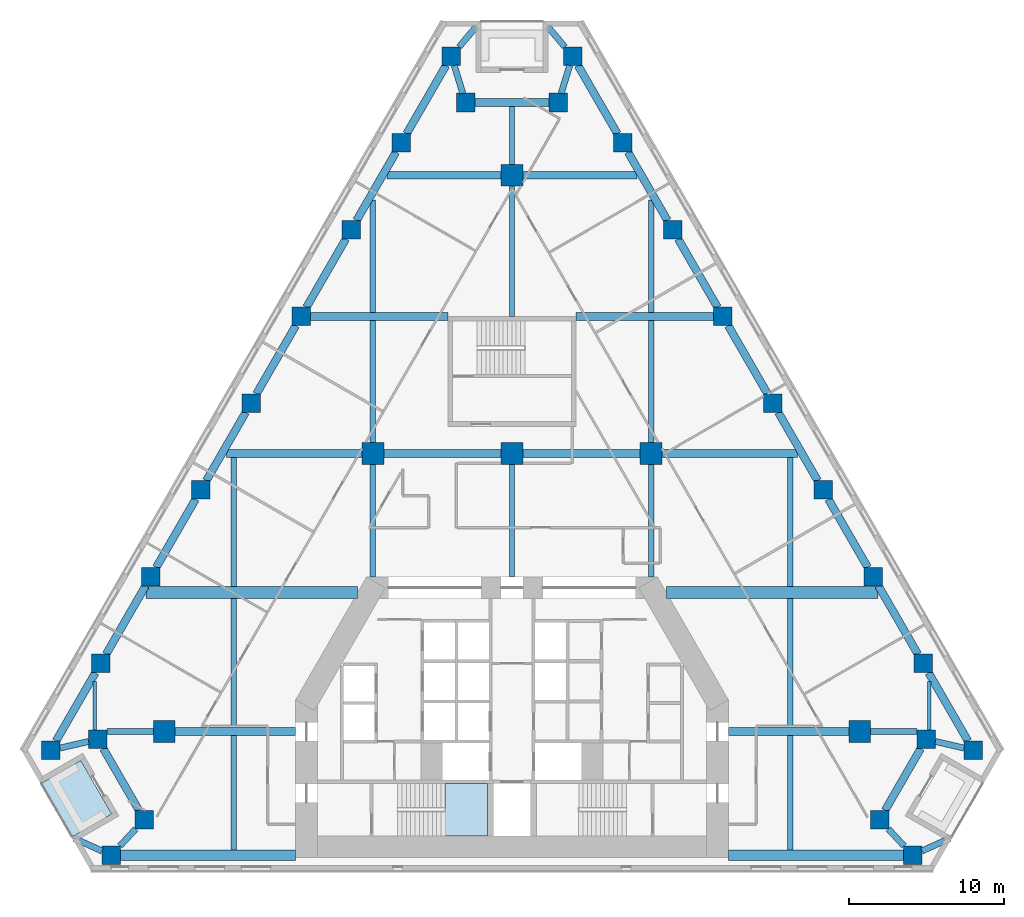
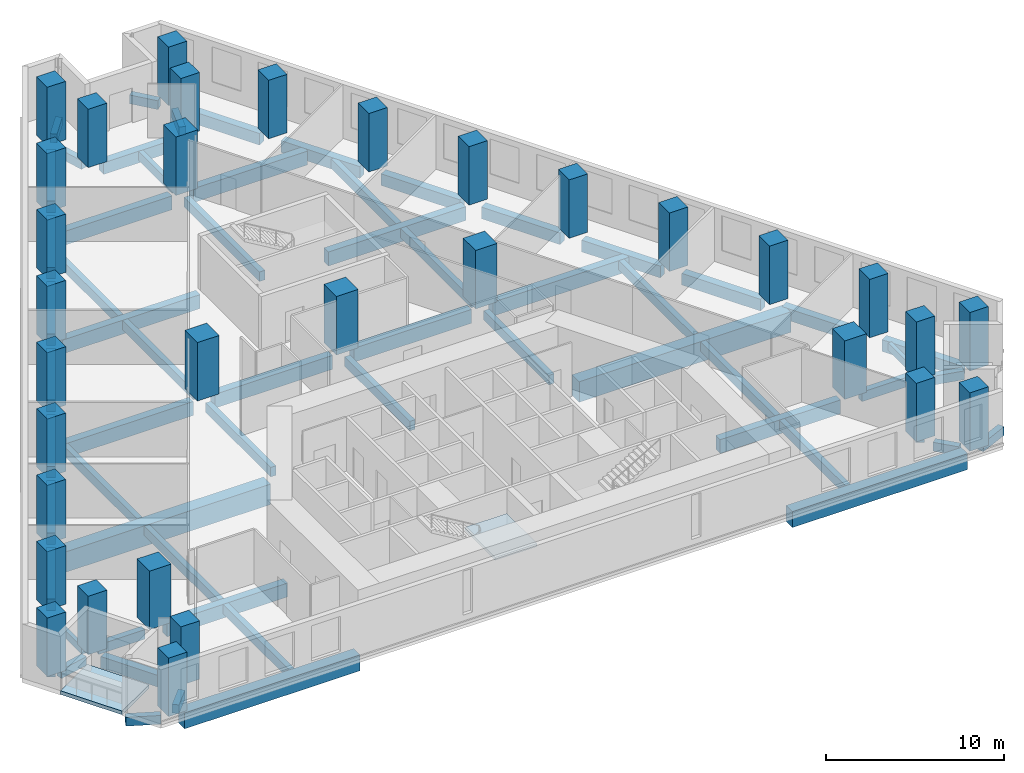
# One storey, part 1 of 11: 62 beams, 32 columns, 2 slabs, 1 element without a shape of its own.
"""IFC4 building model written with IfcOpenShell, lengths in metres."""

from ifc_helpers import new_model, si_unit, direction, frame, origin, origin_2d, place, context, subcontext, project, spatial, polyline, rectangle, outline, extrude, material, layer, layer_set, material_profile, profile_set, type_object, element, aggregate, save


model = new_model("IFC4")

# Units and contexts
model_context = context("Model", 3, precision=1e-05, world=origin(), true_north=direction((0.0, 1.0)))
body_context = subcontext(model_context, "Body", "Model", "MODEL_VIEW")
ifc_project = project(units=[si_unit("LENGTHUNIT", "METRE"), si_unit("AREAUNIT", "SQUARE_METRE"), si_unit("VOLUMEUNIT", "CUBIC_METRE"), si_unit("PLANEANGLEUNIT", "RADIAN"), si_unit("MASSUNIT", "GRAM", prefix="KILO")], contexts=[model_context])

# Site, building, storey
site_placement = place(None, origin())
site = spatial("IfcSite", under=ifc_project, at=site_placement, CompositionType="ELEMENT")
building_placement = place(site_placement, origin())
building = spatial("IfcBuilding", under=site, at=building_placement, Name="Fogline Exchange Tower", CompositionType="ELEMENT")
storey_placement = place(building_placement, frame((0.0, 0.0, 56.89990234375)))
storey = spatial("IfcBuildingStorey", under=building, at=storey_placement, Name="L11", CompositionType="ELEMENT", Elevation=56.89990234375)

# Columns
ifc_material_1 = material(Name="Concrete C80", Category="concrete")
ifc_material_profile_1 = material_profile(ifc_material_1, rectangle(XDim=1.199951171875, YDim=1.199951171875, at=origin_2d()), Name="RC 1200x1200")
ifc_profile_set_1 = profile_set([ifc_material_profile_1], Name="Concrete C80")
column_type_1 = type_object("IfcColumnType", Name="C01", PredefinedType="COLUMN", material=ifc_profile_set_1)
for number, where, z_axis, x_axis, name in (
    (1, (-29.855712890625, 7.794189453125, 0.0), (0.0, 0.0, 1.0), (1.0, 0.0, 0.0), "SW-a"),
    (2, (-26.79638671875, 8.4951171875, 0.0), (0.0, 0.0, 1.0), (1.0, 0.0, 0.0), "SW-p4"),
    (3, (-23.79638671875, 3.299072265625, 0.0), (0.0, 0.0, 1.0), (1.0, 0.0, 0.0), "SW-p3"),
    (4, (-25.93310546875, 1.0, 0.0), (0.0, 0.0, 1.0), (1.0, 0.0, 0.0), "SW-b"),
    (5, (25.93310546875, 1.0, 0.0), (0.0, 0.0, 1.0), (1.0, 0.0, 0.0), "SE-a"),
    (6, (23.79638671875, 3.299072265625, 0.0), (0.0, 0.0, 1.0), (1.0, 0.0, 0.0), "SE-p4"),
    (7, (26.79638671875, 8.4951171875, 0.0), (0.0, 0.0, 1.0), (1.0, 0.0, 0.0), "SE-p3"),
    (8, (29.855712890625, 7.794189453125, 0.0), (0.0, 0.0, 1.0), (1.0, 0.0, 0.0), "SE-b"),
    (9, (26.614013671875, 13.408935546875, 0.0), (0.0, 0.0, 1.0), (1.0, 0.0, 0.0), "E1"),
    (10, (23.37255859375, 19.023681640625, 0.0), (0.0, 0.0, 1.0), (1.0, 0.0, 0.0), "E2"),
    (11, (20.130859375, 24.63818359375, 0.0), (0.0, 0.0, 1.0), (1.0, 0.0, 0.0), "E3"),
    (12, (16.88916015625, 30.2529296875, 0.0), (0.0, 0.0, 1.0), (1.0, 0.0, 0.0), "E4"),
    (13, (13.647705078125, 35.86767578125, 0.0), (0.0, 0.0, 1.0), (1.0, 0.0, 0.0), "E5"),
    (14, (10.406005859375, 41.482421875, 0.0), (0.0, 0.0, 1.0), (1.0, 0.0, 0.0), "E6"),
    (15, (7.164306640625, 47.096923828125, 0.0), (0.0, 0.0, 1.0), (1.0, 0.0, 0.0), "E7"),
    (16, (3.922607421875, 52.711669921875, 0.0), (0.0, 0.0, 1.0), (1.0, 0.0, 0.0), "N-a"),
    (17, (3.0, 49.711669921875, 0.0), (0.0, 0.0, 1.0), (1.0, 0.0, 0.0), "N-p4"),
    (18, (-3.0, 49.711669921875, 0.0), (0.0, 0.0, 1.0), (1.0, 0.0, 0.0), "N-p3"),
    (19, (-3.922607421875, 52.711669921875, 0.0), (0.0, 0.0, 1.0), (1.0, 0.0, 0.0), "N-b"),
    (20, (-7.164306640625, 47.096923828125, 0.0), (0.0, 0.0, 1.0), (1.0, 0.0, 0.0), "W1"),
    (21, (-10.406005859375, 41.482421875, 0.0), (0.0, 0.0, 1.0), (1.0, 0.0, 0.0), "W2"),
    (22, (-13.647705078125, 35.86767578125, 0.0), (0.0, 0.0, 1.0), (1.0, 0.0, 0.0), "W3"),
    (23, (-16.88916015625, 30.2529296875, 0.0), (0.0, 0.0, 1.0), (1.0, 0.0, 0.0), "W4"),
    (24, (-20.130859375, 24.63818359375, 0.0), (0.0, 0.0, 1.0), (1.0, 0.0, 0.0), "W5"),
    (25, (-23.37255859375, 19.023681640625, 0.0), (0.0, 0.0, 1.0), (1.0, 0.0, 0.0), "W6"),
    (26, (-26.614013671875, 13.408935546875, 0.0), (0.0, 0.0, 1.0), (1.0, 0.0, 0.0), "W7"),
):
    element("IfcColumn", number, at=place(storey_placement, frame(where, z_axis=z_axis, x_axis=x_axis)), inside=storey, type_object=column_type_1, Name=name, PredefinedType="COLUMN", context=body_context, shape_type="SweptSolid", body=[
        extrude(rectangle(XDim=1.199951171875, YDim=1.199951171875, at=origin_2d()), origin(), (0.0, 0.0, 1.0), 4.0),
    ])
ifc_material_profile_2 = material_profile(ifc_material_1, rectangle(XDim=1.39990234375, YDim=1.39990234375, at=origin_2d()), Name="RC 1400x1400")
ifc_profile_set_2 = profile_set([ifc_material_profile_2], Name="Concrete C80")
column_type_2 = type_object("IfcColumnType", Name="C02", PredefinedType="COLUMN", material=ifc_profile_set_2)
for number, where, z_axis, x_axis, name in (
    (27, (-9.0, 27.0, 0.0), (0.0, 0.0, 1.0), (1.0, 0.0, 0.0), "IC--9-27"),
    (28, (0.0, 27.0, 0.0), (0.0, 0.0, 1.0), (1.0, 0.0, 0.0), "IC-0-27"),
    (29, (9.0, 27.0, 0.0), (0.0, 0.0, 1.0), (1.0, 0.0, 0.0), "IC-9-27"),
    (30, (0.0, 45.0, 0.0), (0.0, 0.0, 1.0), (1.0, 0.0, 0.0), "IC-0-45"),
    (31, (-22.5, 9.0, 0.0), (0.0, 0.0, 1.0), (1.0, 0.0, 0.0), "IC--225-9"),
    (32, (22.5, 9.0, 0.0), (0.0, 0.0, 1.0), (1.0, 0.0, 0.0), "IC-225-9"),
):
    element("IfcColumn", number, at=place(storey_placement, frame(where, z_axis=z_axis, x_axis=x_axis)), inside=storey, type_object=column_type_2, Name=name, PredefinedType="COLUMN", context=body_context, shape_type="SweptSolid", body=[
        extrude(rectangle(XDim=1.39990234375, YDim=1.39990234375, at=origin_2d()), origin(), (0.0, 0.0, 1.0), 4.0),
    ])

# Beams
ifc_material_2 = material(Name="Concrete C40", Category="concrete")
ifc_material_profile_3 = material_profile(ifc_material_2, rectangle(XDim=0.300048828125, YDim=0.60009765625, at=origin_2d()), Name="RC 300x600")
ifc_profile_set_3 = profile_set([ifc_material_profile_3], Name="Concrete C40")
beam_type_1 = type_object("IfcBeamType", Name="B06", PredefinedType="BEAM", material=ifc_profile_set_3)
beam_1_placement = place(storey_placement, frame((0.0, 45.699951171875, -0.599853515625), z_axis=(0.0, 1.0, 0.0), x_axis=(-1.0, 0.0, 0.0)))
element("IfcBeam", 33, at=beam_1_placement, inside=storey, type_object=beam_type_1, Name="SB010", PredefinedType="BEAM", context=body_context, shape_type="SweptSolid", body=[
    extrude(rectangle(XDim=0.300048828125, YDim=0.60009765625, at=origin_2d()), origin(), (0.0, 0.0, 1.0), 3.76171875),
])
ifc_material_profile_4 = material_profile(ifc_material_2, rectangle(XDim=0.25, YDim=0.5, at=origin_2d()), Name="RC 250x500")
ifc_profile_set_4 = profile_set([ifc_material_profile_4], Name="Concrete C40")
beam_type_2 = type_object("IfcBeamType", Name="B08", PredefinedType="BEAM", material=ifc_profile_set_4)
for number, where, z_axis, x_axis, name in (
    (34, (-27.0, 9.09521484375, -0.5498046875), (0.0, 1.0, 0.0), (-1.0, 0.0, 0.0), "SB001"),
    (35, (27.0, 9.09521484375, -0.5498046875), (0.0, 1.0, 0.0), (-1.0, 0.0, 0.0), "SB017"),
):
    element("IfcBeam", number, at=place(storey_placement, frame(where, z_axis=z_axis, x_axis=x_axis)), inside=storey, type_object=beam_type_2, Name=name, PredefinedType="BEAM", context=body_context, shape_type="SweptSolid", body=[
        extrude(rectangle(XDim=0.25, YDim=0.5, at=origin_2d()), origin(), (0.0, 0.0, 1.0), 3.145263671875),
    ])
ifc_material_profile_5 = material_profile(ifc_material_2, rectangle(XDim=0.5, YDim=0.800048828125, at=origin_2d()), Name="RC 500x800")
ifc_profile_set_5 = profile_set([ifc_material_profile_5], Name="Concrete C40")
beam_type_3 = type_object("IfcBeamType", Name="B10", PredefinedType="BEAM", material=ifc_profile_set_5)
for number, where, z_axis, x_axis, name in (
    (36, (-26.449951171875, 7.895263671875, -0.699951171875), (0.500014024385, -0.866017306651, 0.0), (0.866017306651, 0.500014024385, 0.0), "RB002"),
    (37, (24.142578125, 3.89892578125, -0.699951171875), (0.500014024385, 0.866017306651, 0.0), (-0.866017306651, 0.500014024385, 0.0), "RB007"),
):
    element("IfcBeam", number, at=place(storey_placement, frame(where, z_axis=z_axis, x_axis=x_axis)), inside=storey, type_object=beam_type_3, Name=name, PredefinedType="BEAM", context=body_context, shape_type="SweptSolid", body=[
        extrude(rectangle(XDim=0.5, YDim=0.800048828125, at=origin_2d()), origin(), (0.0, 0.0, 1.0), 4.614501953125),
    ])
beam_2_placement = place(storey_placement, frame((29.50927734375, 8.394287109375, -0.699951171875), z_axis=(-0.500012659481, 0.866018094706, 0.0), x_axis=(-0.866018094706, -0.500012659481, 0.0)))
element("IfcBeam", 38, at=beam_2_placement, inside=storey, type_object=beam_type_3, Name="RB009", PredefinedType="BEAM", context=body_context, shape_type="SweptSolid", body=[
    extrude(rectangle(XDim=0.5, YDim=0.800048828125, at=origin_2d()), origin(), (0.0, 0.0, 1.0), 5.097412109375),
])
for number, where, z_axis, x_axis, name in (
    (39, (26.267578125, 14.0087890625, -0.699951171875), (-0.499956000529, 0.8660508054, 0.0), (-0.8660508054, -0.499956000529, 0.0), "RB010"),
    (40, (23.026123046875, 19.62353515625, -0.699951171875), (-0.499991921166, 0.866030068051, 0.0), (-0.866030068051, -0.499991921166, 0.0), "RB011"),
):
    element("IfcBeam", number, at=place(storey_placement, frame(where, z_axis=z_axis, x_axis=x_axis)), inside=storey, type_object=beam_type_3, Name=name, PredefinedType="BEAM", context=body_context, shape_type="SweptSolid", body=[
        extrude(rectangle(XDim=0.5, YDim=0.800048828125, at=origin_2d()), origin(), (0.0, 0.0, 1.0), 5.09765625),
    ])
beam_3_placement = place(storey_placement, frame((19.784423828125, 25.23828125, -0.699951171875), z_axis=(-0.500012659481, 0.866018094706, 0.0), x_axis=(-0.866018094706, -0.500012659481, 0.0)))
element("IfcBeam", 41, at=beam_3_placement, inside=storey, type_object=beam_type_3, Name="RB012", PredefinedType="BEAM", context=body_context, shape_type="SweptSolid", body=[
    extrude(rectangle(XDim=0.5, YDim=0.800048828125, at=origin_2d()), origin(), (0.0, 0.0, 1.0), 5.097412109375),
])
for number, where, z_axis, x_axis, name in (
    (42, (16.542724609375, 30.852783203125, -0.699951171875), (-0.499991921166, 0.866030068051, 0.0), (-0.866030068051, -0.499991921166, 0.0), "RB013"),
    (43, (13.301025390625, 36.467529296875, -0.699951171875), (-0.499991921166, 0.866030068051, 0.0), (-0.866030068051, -0.499991921166, 0.0), "RB014"),
    (44, (10.0595703125, 42.082275390625, -0.699951171875), (-0.499991921166, 0.866030068051, 0.0), (-0.866030068051, -0.499991921166, 0.0), "RB015"),
    (45, (6.81787109375, 47.697021484375, -0.699951171875), (-0.499991921166, 0.866030068051, 0.0), (-0.866030068051, -0.499991921166, 0.0), "RB016"),
):
    element("IfcBeam", number, at=place(storey_placement, frame(where, z_axis=z_axis, x_axis=x_axis)), inside=storey, type_object=beam_type_3, Name=name, PredefinedType="BEAM", context=body_context, shape_type="SweptSolid", body=[
        extrude(rectangle(XDim=0.5, YDim=0.800048828125, at=origin_2d()), origin(), (0.0, 0.0, 1.0), 5.09765625),
    ])
beam_4_placement = place(storey_placement, frame((2.39990234375, 49.711669921875, -0.699951171875), z_axis=(-1.0, 0.0, 0.0), x_axis=(0.0, -1.0, 0.0)))
element("IfcBeam", 46, at=beam_4_placement, inside=storey, type_object=beam_type_3, Name="RB018", PredefinedType="BEAM", context=body_context, shape_type="SweptSolid", body=[
    extrude(rectangle(XDim=0.5, YDim=0.800048828125, at=origin_2d()), origin(), (0.0, 0.0, 1.0), 4.7998046875),
])
for number, where, z_axis, x_axis, name in (
    (47, (-4.26904296875, 52.11181640625, -0.699951171875), (-0.499991921166, -0.866030068051, 0.0), (0.866030068051, -0.499991921166, 0.0), "RB020"),
    (48, (-7.5107421875, 46.4970703125, -0.699951171875), (-0.499991921166, -0.866030068051, 0.0), (0.866030068051, -0.499991921166, 0.0), "RB021"),
    (49, (-10.752197265625, 40.88232421875, -0.699951171875), (-0.499991921166, -0.866030068051, 0.0), (0.866030068051, -0.499991921166, 0.0), "RB022"),
    (50, (-13.993896484375, 35.267578125, -0.699951171875), (-0.499991921166, -0.866030068051, 0.0), (0.866030068051, -0.499991921166, 0.0), "RB023"),
):
    element("IfcBeam", number, at=place(storey_placement, frame(where, z_axis=z_axis, x_axis=x_axis)), inside=storey, type_object=beam_type_3, Name=name, PredefinedType="BEAM", context=body_context, shape_type="SweptSolid", body=[
        extrude(rectangle(XDim=0.5, YDim=0.800048828125, at=origin_2d()), origin(), (0.0, 0.0, 1.0), 5.09765625),
    ])
beam_5_placement = place(storey_placement, frame((-17.235595703125, 29.65283203125, -0.699951171875), z_axis=(-0.500012659481, -0.866018094706, 0.0), x_axis=(0.866018094706, -0.500012659481, 0.0)))
element("IfcBeam", 51, at=beam_5_placement, inside=storey, type_object=beam_type_3, Name="RB024", PredefinedType="BEAM", context=body_context, shape_type="SweptSolid", body=[
    extrude(rectangle(XDim=0.5, YDim=0.800048828125, at=origin_2d()), origin(), (0.0, 0.0, 1.0), 5.097412109375),
])
for number, where, z_axis, x_axis, name in (
    (52, (-20.477294921875, 24.038330078125, -0.699951171875), (-0.499991921166, -0.866030068051, 0.0), (0.866030068051, -0.499991921166, 0.0), "RB025"),
    (53, (-23.718994140625, 18.423583984375, -0.699951171875), (-0.499956000529, -0.8660508054, 0.0), (0.8660508054, -0.499956000529, 0.0), "RB026"),
):
    element("IfcBeam", number, at=place(storey_placement, frame(where, z_axis=z_axis, x_axis=x_axis)), inside=storey, type_object=beam_type_3, Name=name, PredefinedType="BEAM", context=body_context, shape_type="SweptSolid", body=[
        extrude(rectangle(XDim=0.5, YDim=0.800048828125, at=origin_2d()), origin(), (0.0, 0.0, 1.0), 5.09765625),
    ])
beam_6_placement = place(storey_placement, frame((-26.96044921875, 12.808837890625, -0.699951171875), z_axis=(-0.500012659481, -0.866018094706, 0.0), x_axis=(0.866018094706, -0.500012659481, 0.0)))
element("IfcBeam", 54, at=beam_6_placement, inside=storey, type_object=beam_type_3, Name="RB027", PredefinedType="BEAM", context=body_context, shape_type="SweptSolid", body=[
    extrude(rectangle(XDim=0.5, YDim=0.800048828125, at=origin_2d()), origin(), (0.0, 0.0, 1.0), 5.097412109375),
])
ifc_material_profile_6 = material_profile(ifc_material_2, rectangle(XDim=0.39990234375, YDim=0.60009765625, at=origin_2d()), Name="RC 400x600")
ifc_profile_set_6 = profile_set([ifc_material_profile_6], Name="Concrete C40")
beam_type_4 = type_object("IfcBeamType", Name="B11", PredefinedType="BEAM", material=ifc_profile_set_6)
beam_7_placement = place(storey_placement, frame((-29.255615234375, 7.931640625, -0.599853515625), z_axis=(0.974741606569, 0.223335622829, 0.0), x_axis=(-0.223335622829, 0.974741606569, 0.0)))
element("IfcBeam", 55, at=beam_7_placement, inside=storey, type_object=beam_type_4, Name="RB001", PredefinedType="BEAM", context=body_context, shape_type="SweptSolid", body=[
    extrude(rectangle(XDim=0.39990234375, YDim=0.60009765625, at=origin_2d()), origin(), (0.0, 0.0, 1.0), 1.907470703125),
])
for number, where, z_axis, x_axis, name in (
    (56, (-24.35400390625, 2.698974609375, -0.599853515625), (-0.680844217962, -0.732428256464, 0.0), (0.732428256464, -0.680844217962, 0.0), "RB003"),
    (57, (25.37548828125, 1.60009765625, -0.599853515625), (-0.680844217962, 0.732428256464, 0.0), (-0.732428256464, -0.680844217962, 0.0), "RB006"),
):
    element("IfcBeam", number, at=place(storey_placement, frame(where, z_axis=z_axis, x_axis=x_axis)), inside=storey, type_object=beam_type_4, Name=name, PredefinedType="BEAM", context=body_context, shape_type="SweptSolid", body=[
        extrude(rectangle(XDim=0.39990234375, YDim=0.60009765625, at=origin_2d()), origin(), (0.0, 0.0, 1.0), 1.500244140625),
    ])
beam_8_placement = place(storey_placement, frame((27.396240234375, 8.357666015625, -0.599853515625), z_axis=(0.974741606569, -0.223335622829, 0.0), x_axis=(0.223335622829, 0.974741606569, 0.0)))
element("IfcBeam", 58, at=beam_8_placement, inside=storey, type_object=beam_type_4, Name="RB008", PredefinedType="BEAM", context=body_context, shape_type="SweptSolid", body=[
    extrude(rectangle(XDim=0.39990234375, YDim=0.60009765625, at=origin_2d()), origin(), (0.0, 0.0, 1.0), 1.907470703125),
])
for number, where, z_axis, x_axis, name in (
    (59, (3.738037109375, 52.11181640625, -0.599853515625), (-0.293894535925, -0.955837853275, 0.0), (0.955837853275, -0.293894535925, 0.0), "RB017"),
    (60, (-3.1845703125, 50.311767578125, -0.599853515625), (-0.293894535925, 0.955837853275, 0.0), (-0.955837853275, -0.293894535925, 0.0), "RB019"),
):
    element("IfcBeam", number, at=place(storey_placement, frame(where, z_axis=z_axis, x_axis=x_axis)), inside=storey, type_object=beam_type_4, Name=name, PredefinedType="BEAM", context=body_context, shape_type="SweptSolid", body=[
        extrude(rectangle(XDim=0.39990234375, YDim=0.60009765625, at=origin_2d()), origin(), (0.0, 0.0, 1.0), 1.88330078125),
    ])
beam_9_placement = place(storey_placement, frame((3.418701171875, 53.311767578125, -0.599853515625), z_axis=(-0.643051132195, 0.765823244217, 0.0), x_axis=(-0.765823244217, -0.643051132195, 0.0)))
element("IfcBeam", 61, at=beam_9_placement, inside=storey, type_object=beam_type_4, Name="SP028", PredefinedType="BEAM", context=body_context, shape_type="SweptSolid", body=[
    extrude(rectangle(XDim=0.39990234375, YDim=0.60009765625, at=origin_2d()), origin(), (0.0, 0.0, 1.0), 1.706298828125),
])
beam_10_placement = place(storey_placement, frame((-3.41943359375, 53.311767578125, -0.599853515625), z_axis=(0.642644786518, 0.766164263303, 0.0), x_axis=(-0.766164263303, 0.642644786518, 0.0)))
element("IfcBeam", 62, at=beam_10_placement, inside=storey, type_object=beam_type_4, Name="SP029", PredefinedType="BEAM", context=body_context, shape_type="SweptSolid", body=[
    extrude(rectangle(XDim=0.39990234375, YDim=0.60009765625, at=origin_2d()), origin(), (0.0, 0.0, 1.0), 1.705810546875),
])
beam_11_placement = place(storey_placement, frame((26.533203125, 1.27197265625, -0.599853515625), z_axis=(0.91087792789, 0.412675902473, 0.0), x_axis=(-0.412675902473, 0.91087792789, 0.0)))
element("IfcBeam", 63, at=beam_11_placement, inside=storey, type_object=beam_type_4, Name="SP030", PredefinedType="BEAM", context=body_context, shape_type="SweptSolid", body=[
    extrude(rectangle(XDim=0.39990234375, YDim=0.60009765625, at=origin_2d()), origin(), (0.0, 0.0, 1.0), 1.975341796875),
])
beam_12_placement = place(storey_placement, frame((-26.533203125, 1.271484375, -0.599853515625), z_axis=(-0.911050486543, 0.412294810748, 0.0), x_axis=(-0.412294810748, -0.911050486543, 0.0)))
element("IfcBeam", 64, at=beam_12_placement, inside=storey, type_object=beam_type_4, Name="SP031", PredefinedType="BEAM", context=body_context, shape_type="SweptSolid", body=[
    extrude(rectangle(XDim=0.39990234375, YDim=0.60009765625, at=origin_2d()), origin(), (0.0, 0.0, 1.0), 1.9765625),
])
ifc_material_profile_7 = material_profile(ifc_material_2, rectangle(XDim=0.699951171875, YDim=1.10009765625, at=origin_2d()), Name="RC 700x1100")
ifc_profile_set_7 = profile_set([ifc_material_profile_7], Name="Concrete C40")
beam_type_5 = type_object("IfcBeamType", Name="B12", PredefinedType="BEAM", material=ifc_profile_set_7)
for number, where, z_axis, x_axis, name in (
    (65, (-25.3330078125, 1.0, -0.849853515625), (1.0, 0.0, 0.0), (0.0, 1.0, 0.0), "RB004"),
    (66, (14.0, 1.0, -0.849853515625), (1.0, 0.0, 0.0), (0.0, 1.0, 0.0), "RB005"),
):
    element("IfcBeam", number, at=place(storey_placement, frame(where, z_axis=z_axis, x_axis=x_axis)), inside=storey, type_object=beam_type_5, Name=name, PredefinedType="BEAM", context=body_context, shape_type="SweptSolid", body=[
        extrude(rectangle(XDim=0.699951171875, YDim=1.10009765625, at=origin_2d()), origin(), (0.0, 0.0, 1.0), 11.3330078125),
    ])
ifc_material_profile_8 = material_profile(ifc_material_2, rectangle(XDim=0.39990234375, YDim=0.64990234375, at=origin_2d()), Name="RC 400x650")
ifc_profile_set_8 = profile_set([ifc_material_profile_8], Name="Concrete C40")
beam_type_6 = type_object("IfcBeamType", Name="B13", PredefinedType="BEAM", material=ifc_profile_set_8)
for number, where, z_axis, x_axis, name in (
    (67, (-26.1962890625, 9.0, -0.625), (1.0, 0.0, 0.0), (0.0, 1.0, 0.0), "GB001"),
    (68, (23.199951171875, 9.0, -0.625), (1.0, 0.0, 0.0), (0.0, 1.0, 0.0), "GB004"),
):
    element("IfcBeam", number, at=place(storey_placement, frame(where, z_axis=z_axis, x_axis=x_axis)), inside=storey, type_object=beam_type_6, Name=name, PredefinedType="BEAM", context=body_context, shape_type="SweptSolid", body=[
        extrude(rectangle(XDim=0.39990234375, YDim=0.64990234375, at=origin_2d()), origin(), (0.0, 0.0, 1.0), 2.996337890625),
    ])
ifc_material_profile_9 = material_profile(ifc_material_2, rectangle(XDim=0.5, YDim=0.949951171875, at=origin_2d()), Name="RC 500x950")
ifc_profile_set_9 = profile_set([ifc_material_profile_9], Name="Concrete C40")
beam_type_7 = type_object("IfcBeamType", Name="B14", PredefinedType="BEAM", material=ifc_profile_set_9)
for number, where, z_axis, x_axis, name in (
    (69, (-21.800048828125, 9.0, -0.77490234375), (1.0, 0.0, 0.0), (0.0, 1.0, 0.0), "GB002"),
    (70, (14.0, 9.0, -0.77490234375), (1.0, 0.0, 0.0), (0.0, 1.0, 0.0), "GB003"),
):
    element("IfcBeam", number, at=place(storey_placement, frame(where, z_axis=z_axis, x_axis=x_axis)), inside=storey, type_object=beam_type_7, Name=name, PredefinedType="BEAM", context=body_context, shape_type="SweptSolid", body=[
        extrude(rectangle(XDim=0.5, YDim=0.949951171875, at=origin_2d()), origin(), (0.0, 0.0, 1.0), 7.800048828125),
    ])
beam_13_placement = place(storey_placement, frame((-18.478515625, 27.0, -0.77490234375), z_axis=(1.0, 0.0, 0.0), x_axis=(0.0, 1.0, 0.0)))
element("IfcBeam", 71, at=beam_13_placement, inside=storey, type_object=beam_type_7, Name="GB007", PredefinedType="BEAM", context=body_context, shape_type="SweptSolid", body=[
    extrude(rectangle(XDim=0.5, YDim=0.949951171875, at=origin_2d()), origin(), (0.0, 0.0, 1.0), 8.778564453125),
])
for number, where, z_axis, x_axis, name in (
    (72, (-8.300048828125, 27.0, -0.77490234375), (1.0, 0.0, 0.0), (0.0, 1.0, 0.0), "GB008"),
    (73, (0.699951171875, 27.0, -0.77490234375), (1.0, 0.0, 0.0), (0.0, 1.0, 0.0), "GB009"),
):
    element("IfcBeam", number, at=place(storey_placement, frame(where, z_axis=z_axis, x_axis=x_axis)), inside=storey, type_object=beam_type_7, Name=name, PredefinedType="BEAM", context=body_context, shape_type="SweptSolid", body=[
        extrude(rectangle(XDim=0.5, YDim=0.949951171875, at=origin_2d()), origin(), (0.0, 0.0, 1.0), 7.60009765625),
    ])
beam_14_placement = place(storey_placement, frame((9.699951171875, 27.0, -0.77490234375), z_axis=(1.0, 0.0, 0.0), x_axis=(0.0, 1.0, 0.0)))
element("IfcBeam", 74, at=beam_14_placement, inside=storey, type_object=beam_type_7, Name="GB010", PredefinedType="BEAM", context=body_context, shape_type="SweptSolid", body=[
    extrude(rectangle(XDim=0.5, YDim=0.949951171875, at=origin_2d()), origin(), (0.0, 0.0, 1.0), 8.778564453125),
])
for number, where, z_axis, x_axis, name in (
    (75, (-13.047607421875, 35.85693359375, -0.77490234375), (1.0, 0.0, 0.0), (0.0, 1.0, 0.0), "GB011"),
    (76, (4.14990234375, 35.85693359375, -0.77490234375), (1.0, 0.0, 0.0), (0.0, 1.0, 0.0), "GB012"),
):
    element("IfcBeam", number, at=place(storey_placement, frame(where, z_axis=z_axis, x_axis=x_axis)), inside=storey, type_object=beam_type_7, Name=name, PredefinedType="BEAM", context=body_context, shape_type="SweptSolid", body=[
        extrude(rectangle(XDim=0.5, YDim=0.949951171875, at=origin_2d()), origin(), (0.0, 0.0, 1.0), 8.897705078125),
    ])
for number, where, z_axis, x_axis, name in (
    (77, (-8.086181640625, 45.0, -0.77490234375), (1.0, 0.0, 0.0), (0.0, 1.0, 0.0), "GB013"),
    (78, (0.699951171875, 45.0, -0.77490234375), (1.0, 0.0, 0.0), (0.0, 1.0, 0.0), "GB014"),
):
    element("IfcBeam", number, at=place(storey_placement, frame(where, z_axis=z_axis, x_axis=x_axis)), inside=storey, type_object=beam_type_7, Name=name, PredefinedType="BEAM", context=body_context, shape_type="SweptSolid", body=[
        extrude(rectangle(XDim=0.5, YDim=0.949951171875, at=origin_2d()), origin(), (0.0, 0.0, 1.0), 7.38623046875),
    ])
ifc_material_profile_10 = material_profile(ifc_material_2, rectangle(XDim=0.800048828125, YDim=1.39990234375, at=origin_2d()), Name="RC 800x1400")
ifc_profile_set_10 = profile_set([ifc_material_profile_10], Name="Concrete C40")
beam_type_8 = type_object("IfcBeamType", Name="B15", PredefinedType="BEAM", material=ifc_profile_set_10)
for number, where, z_axis, x_axis, name in (
    (79, (-23.6748046875, 18.0, -1.0), (1.0, 0.0, 0.0), (0.0, 1.0, 0.0), "GB005"),
    (80, (9.989013671875, 18.0, -1.0), (1.0, 0.0, 0.0), (0.0, 1.0, 0.0), "GB006"),
):
    element("IfcBeam", number, at=place(storey_placement, frame(where, z_axis=z_axis, x_axis=x_axis)), inside=storey, type_object=beam_type_8, Name=name, PredefinedType="BEAM", context=body_context, shape_type="SweptSolid", body=[
        extrude(rectangle(XDim=0.800048828125, YDim=1.39990234375, at=origin_2d()), origin(), (0.0, 0.0, 1.0), 13.685791015625),
    ])
ifc_material_profile_11 = material_profile(ifc_material_2, rectangle(XDim=0.35009765625, YDim=0.64990234375, at=origin_2d()), Name="RC 350x650")
ifc_profile_set_11 = profile_set([ifc_material_profile_11], Name="Concrete C40")
beam_type_9 = type_object("IfcBeamType", Name="B16", PredefinedType="BEAM", material=ifc_profile_set_11)
beam_15_placement = place(storey_placement, frame((-18.0, 1.35009765625, -0.625), z_axis=(0.0, 1.0, 0.0), x_axis=(-1.0, 0.0, 0.0)))
element("IfcBeam", 81, at=beam_15_placement, inside=storey, type_object=beam_type_9, Name="SB002", PredefinedType="BEAM", context=body_context, shape_type="SweptSolid", body=[
    extrude(rectangle(XDim=0.35009765625, YDim=0.64990234375, at=origin_2d()), origin(), (0.0, 0.0, 1.0), 7.39990234375),
])
for number, where, z_axis, x_axis, name in (
    (82, (-18.0, 9.25, -0.625), (0.0, 1.0, 0.0), (-1.0, 0.0, 0.0), "SB003"),
    (83, (-18.0, 18.39990234375, -0.625), (0.0, 1.0, 0.0), (-1.0, 0.0, 0.0), "SB004"),
):
    element("IfcBeam", number, at=place(storey_placement, frame(where, z_axis=z_axis, x_axis=x_axis)), inside=storey, type_object=beam_type_9, Name=name, PredefinedType="BEAM", context=body_context, shape_type="SweptSolid", body=[
        extrude(rectangle(XDim=0.35009765625, YDim=0.64990234375, at=origin_2d()), origin(), (0.0, 0.0, 1.0), 8.35009765625),
    ])
beam_16_placement = place(storey_placement, frame((-9.0, 19.0, -0.625), z_axis=(0.0, 1.0, 0.0), x_axis=(-1.0, 0.0, 0.0)))
element("IfcBeam", 84, at=beam_16_placement, inside=storey, type_object=beam_type_9, Name="SB005", PredefinedType="BEAM", context=body_context, shape_type="SweptSolid", body=[
    extrude(rectangle(XDim=0.35009765625, YDim=0.64990234375, at=origin_2d()), origin(), (0.0, 0.0, 1.0), 7.300048828125),
])
beam_17_placement = place(storey_placement, frame((-9.0, 27.699951171875, -0.625), z_axis=(0.0, 1.0, 0.0), x_axis=(-1.0, 0.0, 0.0)))
element("IfcBeam", 85, at=beam_17_placement, inside=storey, type_object=beam_type_9, Name="SB006", PredefinedType="BEAM", context=body_context, shape_type="SweptSolid", body=[
    extrude(rectangle(XDim=0.35009765625, YDim=0.64990234375, at=origin_2d()), origin(), (0.0, 0.0, 1.0), 7.906982421875),
])
beam_18_placement = place(storey_placement, frame((-9.0, 36.10693359375, -0.625), z_axis=(0.0, 1.0, 0.0), x_axis=(-1.0, 0.0, 0.0)))
element("IfcBeam", 86, at=beam_18_placement, inside=storey, type_object=beam_type_9, Name="SB007", PredefinedType="BEAM", context=body_context, shape_type="SweptSolid", body=[
    extrude(rectangle(XDim=0.35009765625, YDim=0.64990234375, at=origin_2d()), origin(), (0.0, 0.0, 1.0), 7.310546875),
])
beam_19_placement = place(storey_placement, frame((0.0, 19.0, -0.625), z_axis=(0.0, 1.0, 0.0), x_axis=(-1.0, 0.0, 0.0)))
element("IfcBeam", 87, at=beam_19_placement, inside=storey, type_object=beam_type_9, Name="SB008", PredefinedType="BEAM", context=body_context, shape_type="SweptSolid", body=[
    extrude(rectangle(XDim=0.35009765625, YDim=0.64990234375, at=origin_2d()), origin(), (0.0, 0.0, 1.0), 7.300048828125),
])
beam_20_placement = place(storey_placement, frame((0.0, 35.85693359375, -0.625), z_axis=(0.0, 1.0, 0.0), x_axis=(-1.0, 0.0, 0.0)))
element("IfcBeam", 88, at=beam_20_placement, inside=storey, type_object=beam_type_9, Name="SB009", PredefinedType="BEAM", context=body_context, shape_type="SweptSolid", body=[
    extrude(rectangle(XDim=0.35009765625, YDim=0.64990234375, at=origin_2d()), origin(), (0.0, 0.0, 1.0), 8.443115234375),
])
beam_21_placement = place(storey_placement, frame((9.0, 19.0, -0.625), z_axis=(0.0, 1.0, 0.0), x_axis=(-1.0, 0.0, 0.0)))
element("IfcBeam", 89, at=beam_21_placement, inside=storey, type_object=beam_type_9, Name="SB011", PredefinedType="BEAM", context=body_context, shape_type="SweptSolid", body=[
    extrude(rectangle(XDim=0.35009765625, YDim=0.64990234375, at=origin_2d()), origin(), (0.0, 0.0, 1.0), 7.300048828125),
])
beam_22_placement = place(storey_placement, frame((9.0, 27.699951171875, -0.625), z_axis=(0.0, 1.0, 0.0), x_axis=(-1.0, 0.0, 0.0)))
element("IfcBeam", 90, at=beam_22_placement, inside=storey, type_object=beam_type_9, Name="SB012", PredefinedType="BEAM", context=body_context, shape_type="SweptSolid", body=[
    extrude(rectangle(XDim=0.35009765625, YDim=0.64990234375, at=origin_2d()), origin(), (0.0, 0.0, 1.0), 7.906982421875),
])
beam_23_placement = place(storey_placement, frame((9.0, 36.10693359375, -0.625), z_axis=(0.0, 1.0, 0.0), x_axis=(-1.0, 0.0, 0.0)))
element("IfcBeam", 91, at=beam_23_placement, inside=storey, type_object=beam_type_9, Name="SB013", PredefinedType="BEAM", context=body_context, shape_type="SweptSolid", body=[
    extrude(rectangle(XDim=0.35009765625, YDim=0.64990234375, at=origin_2d()), origin(), (0.0, 0.0, 1.0), 7.310546875),
])
beam_24_placement = place(storey_placement, frame((18.0, 1.35009765625, -0.625), z_axis=(0.0, 1.0, 0.0), x_axis=(-1.0, 0.0, 0.0)))
element("IfcBeam", 92, at=beam_24_placement, inside=storey, type_object=beam_type_9, Name="SB014", PredefinedType="BEAM", context=body_context, shape_type="SweptSolid", body=[
    extrude(rectangle(XDim=0.35009765625, YDim=0.64990234375, at=origin_2d()), origin(), (0.0, 0.0, 1.0), 7.39990234375),
])
for number, where, z_axis, x_axis, name in (
    (93, (18.0, 9.25, -0.625), (0.0, 1.0, 0.0), (-1.0, 0.0, 0.0), "SB015"),
    (94, (18.0, 18.39990234375, -0.625), (0.0, 1.0, 0.0), (-1.0, 0.0, 0.0), "SB016"),
):
    element("IfcBeam", number, at=place(storey_placement, frame(where, z_axis=z_axis, x_axis=x_axis)), inside=storey, type_object=beam_type_9, Name=name, PredefinedType="BEAM", context=body_context, shape_type="SweptSolid", body=[
        extrude(rectangle(XDim=0.35009765625, YDim=0.64990234375, at=origin_2d()), origin(), (0.0, 0.0, 1.0), 8.35009765625),
    ])

# Slab
ifc_layer_1 = layer(ifc_material_2, 0.25)
ifc_layer_set_1 = layer_set([ifc_layer_1], Name="DK1")
slab_type_1 = type_object("IfcSlabType", Name="DK1", PredefinedType="FLOOR", material=ifc_layer_set_1)
slab_1_placement = place(storey_placement, frame((0.0, 0.0, -0.25)))
element("IfcSlab", 95, at=slab_1_placement, inside=storey, type_object=slab_type_1, Name="Balcony L11 SW", PredefinedType="FLOOR", context=body_context, shape_type="SweptSolid", body=[
    extrude(outline(polyline([(-30.505126953125, 5.629150390625), (-28.505126953125, 2.1650390625), (-25.906982421875, 3.6650390625), (-27.906982421875, 7.129150390625), (-30.505126953125, 5.629150390625)])), origin(), (0.0, 0.0, 1.0), 0.25),
])

# Stair, slab
stair_type = type_object("IfcStairType", Name="STR24-1667", PredefinedType="HALF_TURN_STAIR", material=ifc_material_2)
stair_placement = place(storey_placement, origin())
stair = element("IfcStair", 96, at=stair_placement, inside=storey, type_object=stair_type, Name="Stair ST1", PredefinedType="HALF_TURN_STAIR")
ifc_layer_2 = layer(ifc_material_2, 0.199951171875)
ifc_layer_set_2 = layer_set([ifc_layer_2], Name="SL200")
slab_type_2 = type_object("IfcSlabType", Name="SL200", PredefinedType="LANDING", material=ifc_layer_set_2)
slab_2_placement = place(storey_placement, frame((0.0, 0.0, 1.800048828125)))
slab_2 = element("IfcSlab", 97, at=slab_2_placement, type_object=slab_type_2, Name="ST1 landing 1", PredefinedType="LANDING", context=body_context, shape_type="SweptSolid", body=[
    extrude(outline(polyline([(-4.320068359375, 2.25), (-1.60009765625, 2.25), (-1.60009765625, 5.64990234375), (-4.320068359375, 5.64990234375), (-4.320068359375, 2.25)])), origin(), (0.0, 0.0, 1.0), 0.199951171875),
])
aggregate(stair, [slab_2])

save(model, "model.ifc")
